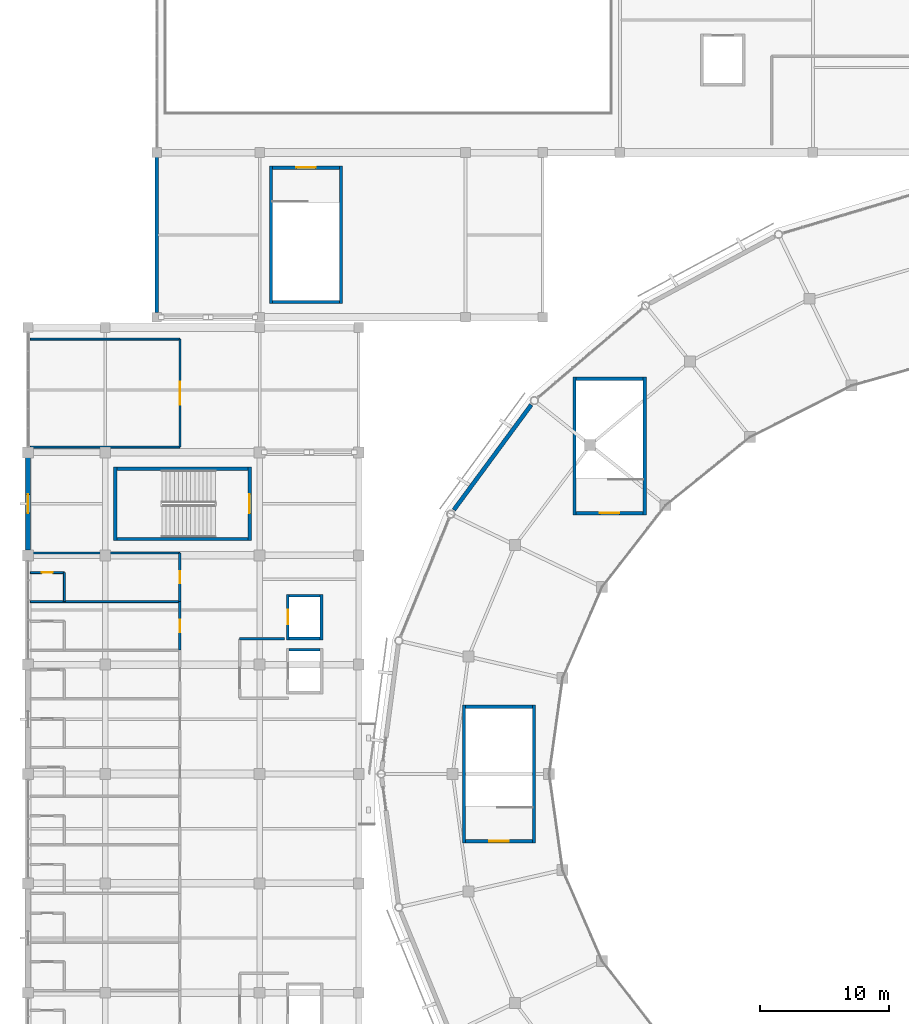
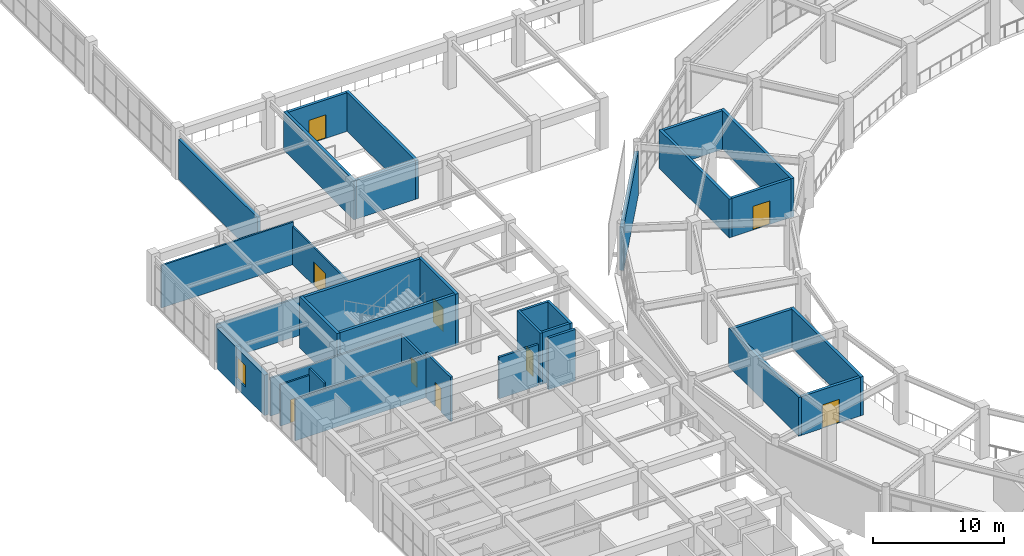
# One storey, part 84 of 112: 34 walls, 9 doors, 1 window, 10 openings.
"""IFC4 building model written with IfcOpenShell, lengths in metres."""

from ifc_helpers import new_model, si_unit, direction, frame, frame_2d, origin, place, context, subcontext, project, spatial, rectangle, extrude, material, layer, layer_set, type_object, element, fill, save


model = new_model("IFC4")

# Units and contexts
model_context = context("Model", 3, precision=1e-05, world=origin(), true_north=direction((0.0, 1.0)))
body_context = subcontext(model_context, "Body", "Model", "MODEL_VIEW")
ifc_project = project(units=[si_unit("LENGTHUNIT", "METRE"), si_unit("AREAUNIT", "SQUARE_METRE"), si_unit("VOLUMEUNIT", "CUBIC_METRE"), si_unit("PLANEANGLEUNIT", "RADIAN"), si_unit("MASSUNIT", "GRAM", prefix="KILO")], contexts=[model_context])

# Site, building, storey
site_placement = place(None, origin())
site = spatial("IfcSite", under=ifc_project, at=site_placement, CompositionType="ELEMENT")
building_placement = place(site_placement, origin())
building = spatial("IfcBuilding", under=site, at=building_placement, Name="Cuetzalor Civic Arena", CompositionType="ELEMENT")
storey_placement = place(building_placement, frame((0.0, 0.0, 11.39990234375)))
storey = spatial("IfcBuildingStorey", under=building, at=storey_placement, Name="L02", CompositionType="ELEMENT", Elevation=11.39990234375)

# Wall
ifc_material_1 = material(Name="Acoustic steel-stud gypsum partition", Category="steel")
ifc_layer_1 = layer(ifc_material_1, 0.14990234375)
ifc_layer_set_1 = layer_set([ifc_layer_1], Name="Acoustic steel-stud gypsum partition")
wall_type_1 = type_object("IfcWallType", Name="AcousticGypsumPartition_150", PredefinedType="PARTITIONING", material=ifc_layer_set_1)
wall_1_placement = place(storey_placement, frame((-81.820068359375, 13.39990234375, 0.0), z_axis=(0.0, 0.0, 1.0), x_axis=(1.0, 0.0, 0.0)))
element("IfcWall", 1, at=wall_1_placement, inside=storey, type_object=wall_type_1, Name="Interior Partition IWALL:L02:0308", PredefinedType="PARTITIONING", context=body_context, shape_type="SweptSolid", body=[
    extrude(rectangle(XDim=11.6201171875, YDim=0.14990234375, at=frame_2d((5.81005859375, 0.0))), origin(), (0.0, 0.0, 1.0), 3.84521484375),
])

# Wall, opening, door
wall_2_placement = place(storey_placement, frame((-81.820068359375, 15.64990234375, 0.0), z_axis=(0.0, 0.0, 1.0), x_axis=(1.0, 0.0, 0.0)))
wall_2 = element("IfcWall", 2, at=wall_2_placement, inside=storey, type_object=wall_type_1, Name="Interior Partition IWALL:L02:0309", PredefinedType="PARTITIONING", context=body_context, shape_type="SweptSolid", body=[
    extrude(rectangle(XDim=2.650146484375, YDim=0.14990234375, at=frame_2d((1.3251953125, 0.0))), origin(), (0.0, 0.0, 1.0), 3.84521484375),
])
opening_1_placement = place(wall_2_placement, frame((0.89990234375, 0.0, 0.0)))
opening_1 = element("IfcOpeningElement", 3, at=opening_1_placement, cuts=wall_2, Name="Opening ID-01", PredefinedType="OPENING", context=body_context, shape_type="SweptSolid", body=[
    extrude(rectangle(XDim=0.85009765625, YDim=2.14990234375, at=frame_2d((0.425048828125, 1.074951171875))), frame((0.0, 0.0849609375, 0.0), z_axis=(0.0, -1.0, 0.0), x_axis=(1.0, 0.0, 0.0)), (0.0, 0.0, 1.0), 0.169921875),
])
ifc_material_2 = material(Name="Painted steel frame and solid timber leaf", Category="steel")
door_type_1 = type_object("IfcDoorType", Name="InteriorSingleDoor_850x2150", OperationType="NOTDEFINED", PredefinedType="DOOR", material=ifc_material_2)
door_1_placement = place(opening_1_placement, origin())
door_1 = element("IfcDoor", 4, at=door_1_placement, inside=storey, type_object=door_type_1, Name="Door to Suite Bathroom 211", OperationType="SINGLE_SWING_RIGHT", OverallHeight=2.14990234375, OverallWidth=0.85009765625, PredefinedType="DOOR", context=body_context, shape_type="SweptSolid", body=[
    extrude(rectangle(XDim=0.85009765625, YDim=2.14990234375, at=frame_2d((0.425048828125, 1.074951171875))), frame((0.0, 0.02490234375, 0.0), z_axis=(0.0, -1.0, 0.0), x_axis=(1.0, 0.0, 0.0)), (0.0, 0.0, 1.0), 0.050048828125),
])
fill(opening_1, door_1)

# Walls
wall_3_placement = place(storey_placement, frame((-79.169921875, 15.64990234375, 0.0), z_axis=(0.0, 0.0, 1.0), x_axis=(0.0, -1.0, 0.0)))
element("IfcWall", 5, at=wall_3_placement, inside=storey, type_object=wall_type_1, Name="Interior Partition IWALL:L02:0310", PredefinedType="PARTITIONING", context=body_context, shape_type="SweptSolid", body=[
    extrude(rectangle(XDim=2.25, YDim=0.14990234375, at=frame_2d((1.125, 0.0))), origin(), (0.0, 0.0, 1.0), 4.440185546875),
])
wall_4_placement = place(storey_placement, frame((-81.820068359375, 17.179931640625, 0.0), z_axis=(0.0, 0.0, 1.0), x_axis=(1.0, 0.0, 0.0)))
element("IfcWall", 6, at=wall_4_placement, inside=storey, type_object=wall_type_1, Name="Interior Partition IWALL:L02:0312", PredefinedType="PARTITIONING", context=body_context, shape_type="SweptSolid", body=[
    extrude(rectangle(XDim=11.6201171875, YDim=0.14990234375, at=frame_2d((5.81005859375, 0.0))), origin(), (0.0, 0.0, 1.0), 3.545166015625),
])
wall_5_placement = place(storey_placement, frame((-81.820068359375, 33.800048828125, 0.0), z_axis=(0.0, 0.0, 1.0), x_axis=(1.0, 0.0, 0.0)))
element("IfcWall", 7, at=wall_5_placement, inside=storey, type_object=wall_type_1, Name="Interior Partition IWALL:L02:0313", PredefinedType="PARTITIONING", context=body_context, shape_type="SweptSolid", body=[
    extrude(rectangle(XDim=11.6201171875, YDim=0.14990234375, at=frame_2d((5.81005859375, 0.0))), origin(), (0.0, 0.0, 1.0), 3.962158203125),
])
wall_6_placement = place(storey_placement, frame((-70.199951171875, 25.39990234375, 0.0), z_axis=(0.0, 0.0, 1.0), x_axis=(-1.0, 0.0, 0.0)))
element("IfcWall", 8, at=wall_6_placement, inside=storey, type_object=wall_type_1, Name="Interior Partition IWALL:L02:0314", PredefinedType="PARTITIONING", context=body_context, shape_type="SweptSolid", body=[
    extrude(rectangle(XDim=11.6201171875, YDim=0.14990234375, at=frame_2d((5.81005859375, 0.0))), origin(), (0.0, 0.0, 1.0), 3.545166015625),
])

# Wall, opening, door
wall_7_placement = place(storey_placement, frame((-70.199951171875, 33.800048828125, 0.0), z_axis=(0.0, 0.0, 1.0), x_axis=(0.0, -1.0, 0.0)))
wall_7 = element("IfcWall", 9, at=wall_7_placement, inside=storey, type_object=wall_type_1, Name="Interior Partition IWALL:L02:0315", PredefinedType="PARTITIONING", context=body_context, shape_type="SweptSolid", body=[
    extrude(rectangle(XDim=8.400146484375, YDim=0.14990234375, at=frame_2d((4.2001953125, 0.0))), origin(), (0.0, 0.0, 1.0), 3.545166015625),
])
opening_2_placement = place(wall_7_placement, frame((3.300048828125, 0.0, 0.0)))
opening_2 = element("IfcOpeningElement", 10, at=opening_2_placement, cuts=wall_7, Name="Opening ID-06", PredefinedType="OPENING", context=body_context, shape_type="SweptSolid", body=[
    extrude(rectangle(XDim=1.800048828125, YDim=2.199951171875, at=frame_2d((0.89990234375, 1.10009765625))), frame((0.0, 0.0849609375, 0.0), z_axis=(0.0, -1.0, 0.0), x_axis=(1.0, 0.0, 0.0)), (0.0, 0.0, 1.0), 0.169921875),
])
ifc_material_3 = material(Name="Glazed bronze acoustic double door", Category="metal")
door_type_2 = type_object("IfcDoorType", Name="PublicDoubleDoor_1800x2200", OperationType="DOUBLE_DOOR_SINGLE_SWING", PredefinedType="DOOR", material=ifc_material_3)
door_2_placement = place(opening_2_placement, origin())
door_2 = element("IfcDoor", 11, at=door_2_placement, inside=storey, type_object=door_type_2, Name="Door to Hospitality Club Lounge West L02", OperationType="DOUBLE_DOOR_SINGLE_SWING", OverallHeight=2.199951171875, OverallWidth=1.800048828125, PredefinedType="DOOR", context=body_context, shape_type="SweptSolid", body=[
    extrude(rectangle(XDim=1.800048828125, YDim=2.199951171875, at=frame_2d((0.89990234375, 1.10009765625))), frame((0.0, 0.02490234375, 0.0), z_axis=(0.0, -1.0, 0.0), x_axis=(1.0, 0.0, 0.0)), (0.0, 0.0, 1.0), 0.050048828125),
])
fill(opening_2, door_2)

# Walls
ifc_material_4 = material(Name="Standing-seam charcoal zinc insulated wall", Category="steel")
ifc_layer_2 = layer(ifc_material_4, 0.280029296875)
ifc_layer_set_2 = layer_set([ifc_layer_2], Name="Standing-seam charcoal zinc insulated wall")
wall_type_2 = type_object("IfcWallType", Name="AcousticZincCladWall_280", PredefinedType="SOLIDWALL", material=ifc_layer_set_2)
wall_8_placement = place(storey_placement, frame((-72.0, 35.85693359375, 0.0), z_axis=(0.0, 0.0, 1.0), x_axis=(0.0, 1.0, 0.0)))
element("IfcWall", 12, at=wall_8_placement, inside=storey, type_object=wall_type_2, Name="North Wing West Basalt Wall L02-245", PredefinedType="SOLIDWALL", context=body_context, shape_type="SweptSolid", body=[
    extrude(rectangle(XDim=12.086181640625, YDim=0.280029296875, at=frame_2d((6.04296875, 0.0))), origin(), (0.0, 0.0, 1.0), 3.72021484375),
])
ifc_material_5 = material(Name="Concrete C40/50", Category="concrete")
ifc_layer_3 = layer(ifc_material_5, 0.25)
ifc_layer_set_3 = layer_set([ifc_layer_3], Name="Concrete C40/50")
wall_type_3 = type_object("IfcWallType", Name="ConcreteCoreShearWall_250", PredefinedType="SHEAR", material=ifc_layer_set_3)
wall_9_placement = place(storey_placement, frame((-39.52490234375, 20.14990234375, 0.0), z_axis=(0.0, 0.0, 1.0), x_axis=(0.0, 1.0, 0.0)))
element("IfcWall", 13, at=wall_9_placement, inside=storey, type_object=wall_type_3, Name="Stair Core Shear Wall ST-04-L02-W", PredefinedType="SHEAR", context=body_context, shape_type="SweptSolid", body=[
    extrude(rectangle(XDim=10.7001953125, YDim=0.25, at=frame_2d((5.35009765625, 0.0))), origin(), (0.0, 0.0, 1.0), 3.60009765625),
])
wall_10_placement = place(storey_placement, frame((-39.39990234375, 30.72509765625, 0.0), z_axis=(0.0, 0.0, 1.0), x_axis=(1.0, 0.0, 0.0)))
element("IfcWall", 14, at=wall_10_placement, inside=storey, type_object=wall_type_3, Name="Stair Core Shear Wall ST-04-L02-N", PredefinedType="SHEAR", context=body_context, shape_type="SweptSolid", body=[
    extrude(rectangle(XDim=5.199951171875, YDim=0.25, at=frame_2d((2.60009765625, 0.0))), origin(), (0.0, 0.0, 1.0), 3.60009765625),
])
wall_11_placement = place(storey_placement, frame((-34.074951171875, 30.85009765625, 0.0), z_axis=(0.0, 0.0, 1.0), x_axis=(0.0, -1.0, 0.0)))
element("IfcWall", 15, at=wall_11_placement, inside=storey, type_object=wall_type_3, Name="Stair Core Shear Wall ST-04-L02-E", PredefinedType="SHEAR", context=body_context, shape_type="SweptSolid", body=[
    extrude(rectangle(XDim=10.7001953125, YDim=0.25, at=frame_2d((5.35009765625, 0.0))), origin(), (0.0, 0.0, 1.0), 3.60009765625),
])

# Wall, opening, door
wall_12_placement = place(storey_placement, frame((-34.199951171875, 20.27490234375, 0.0), z_axis=(0.0, 0.0, 1.0), x_axis=(-1.0, 0.0, 0.0)))
wall_12 = element("IfcWall", 16, at=wall_12_placement, inside=storey, type_object=wall_type_3, Name="Stair Core Shear Wall ST-04-L02-S", PredefinedType="SHEAR", context=body_context, shape_type="SweptSolid", body=[
    extrude(rectangle(XDim=5.199951171875, YDim=0.25, at=frame_2d((2.60009765625, 0.0))), origin(), (0.0, 0.0, 1.0), 3.60009765625),
])
opening_3_placement = place(wall_12_placement, frame((1.85009765625, 0.0, 0.0)))
opening_3 = element("IfcOpeningElement", 17, at=opening_3_placement, cuts=wall_12, Name="Opening FD-03", PredefinedType="OPENING", context=body_context, shape_type="SweptSolid", body=[
    extrude(rectangle(XDim=1.5, YDim=2.199951171875, at=frame_2d((0.75, 1.10009765625))), frame((0.0, 0.135009765625, 0.0), z_axis=(0.0, -1.0, 0.0), x_axis=(1.0, 0.0, 0.0)), (0.0, 0.0, 1.0), 0.27001953125),
])
ifc_material_6 = material(Name="Fire-rated steel stair exit double door", Category="steel")
door_type_3 = type_object("IfcDoorType", Name="StairFireDoubleDoor_1500x2200", OperationType="DOUBLE_DOOR_SINGLE_SWING", PredefinedType="DOOR", material=ifc_material_6)
door_3_placement = place(opening_3_placement, origin())
door_3 = element("IfcDoor", 18, at=door_3_placement, inside=storey, type_object=door_type_3, Name="Fire Stair Door ST-04 L02", OperationType="DOUBLE_DOOR_SINGLE_SWING", OverallHeight=2.199951171875, OverallWidth=1.5, PredefinedType="DOOR", context=body_context, shape_type="SweptSolid", body=[
    extrude(rectangle(XDim=1.5, YDim=2.199951171875, at=frame_2d((0.75, 1.10009765625))), frame((0.0, 0.02490234375, 0.0), z_axis=(0.0, -1.0, 0.0), x_axis=(1.0, 0.0, 0.0)), (0.0, 0.0, 1.0), 0.050048828125),
])
fill(opening_3, door_3)

# Walls
wall_13_placement = place(storey_placement, frame((-48.125, -5.35009765625, 0.0), z_axis=(0.0, 0.0, 1.0), x_axis=(0.0, 1.0, 0.0)))
element("IfcWall", 19, at=wall_13_placement, inside=storey, type_object=wall_type_3, Name="Stair Core Shear Wall ST-05-L02-W", PredefinedType="SHEAR", context=body_context, shape_type="SweptSolid", body=[
    extrude(rectangle(XDim=10.7001953125, YDim=0.25, at=frame_2d((5.35009765625, 0.0))), origin(), (0.0, 0.0, 1.0), 3.60009765625),
])
wall_14_placement = place(storey_placement, frame((-48.0, 5.22509765625, 0.0), z_axis=(0.0, 0.0, 1.0), x_axis=(1.0, 0.0, 0.0)))
element("IfcWall", 20, at=wall_14_placement, inside=storey, type_object=wall_type_3, Name="Stair Core Shear Wall ST-05-L02-N", PredefinedType="SHEAR", context=body_context, shape_type="SweptSolid", body=[
    extrude(rectangle(XDim=5.199951171875, YDim=0.25, at=frame_2d((2.60009765625, 0.0))), origin(), (0.0, 0.0, 1.0), 3.60009765625),
])
wall_15_placement = place(storey_placement, frame((-42.675048828125, 5.35009765625, 0.0), z_axis=(0.0, 0.0, 1.0), x_axis=(0.0, -1.0, 0.0)))
element("IfcWall", 21, at=wall_15_placement, inside=storey, type_object=wall_type_3, Name="Stair Core Shear Wall ST-05-L02-E", PredefinedType="SHEAR", context=body_context, shape_type="SweptSolid", body=[
    extrude(rectangle(XDim=10.7001953125, YDim=0.25, at=frame_2d((5.35009765625, 0.0))), origin(), (0.0, 0.0, 1.0), 3.60009765625),
])

# Wall, opening, door
wall_16_placement = place(storey_placement, frame((-42.800048828125, -5.22509765625, 0.0), z_axis=(0.0, 0.0, 1.0), x_axis=(-1.0, 0.0, 0.0)))
wall_16 = element("IfcWall", 22, at=wall_16_placement, inside=storey, type_object=wall_type_3, Name="Stair Core Shear Wall ST-05-L02-S", PredefinedType="SHEAR", context=body_context, shape_type="SweptSolid", body=[
    extrude(rectangle(XDim=5.199951171875, YDim=0.25, at=frame_2d((2.60009765625, 0.0))), origin(), (0.0, 0.0, 1.0), 3.60009765625),
])
opening_4_placement = place(wall_16_placement, frame((1.85009765625, 0.0, 0.0)))
opening_4 = element("IfcOpeningElement", 23, at=opening_4_placement, cuts=wall_16, Name="Opening FD-03", PredefinedType="OPENING", context=body_context, shape_type="SweptSolid", body=[
    extrude(rectangle(XDim=1.5, YDim=2.199951171875, at=frame_2d((0.75, 1.10009765625))), frame((0.0, 0.135009765625, 0.0), z_axis=(0.0, -1.0, 0.0), x_axis=(1.0, 0.0, 0.0)), (0.0, 0.0, 1.0), 0.27001953125),
])
door_4_placement = place(opening_4_placement, origin())
door_4 = element("IfcDoor", 24, at=door_4_placement, inside=storey, type_object=door_type_3, Name="Fire Stair Door ST-05 L02", OperationType="DOUBLE_DOOR_SINGLE_SWING", OverallHeight=2.199951171875, OverallWidth=1.5, PredefinedType="DOOR", context=body_context, shape_type="SweptSolid", body=[
    extrude(rectangle(XDim=1.5, YDim=2.199951171875, at=frame_2d((0.75, 1.10009765625))), frame((0.0, 0.02490234375, 0.0), z_axis=(0.0, -1.0, 0.0), x_axis=(1.0, 0.0, 0.0)), (0.0, 0.0, 1.0), 0.050048828125),
])
fill(opening_4, door_4)

# Walls
wall_17_placement = place(storey_placement, frame((-75.22509765625, 18.14990234375, 0.0), z_axis=(0.0, 0.0, 1.0), x_axis=(0.0, 1.0, 0.0)))
element("IfcWall", 25, at=wall_17_placement, inside=storey, type_object=wall_type_3, Name="Stair Core Shear Wall ST-17-L02-W", PredefinedType="SHEAR", context=body_context, shape_type="SweptSolid", body=[
    extrude(rectangle(XDim=5.7001953125, YDim=0.25, at=frame_2d((2.85009765625, 0.0))), origin(), (0.0, 0.0, 1.0), 4.800048828125),
])
wall_18_placement = place(storey_placement, frame((-75.10009765625, 23.72509765625, 0.0), z_axis=(0.0, 0.0, 1.0), x_axis=(1.0, 0.0, 0.0)))
element("IfcWall", 26, at=wall_18_placement, inside=storey, type_object=wall_type_3, Name="Stair Core Shear Wall ST-17-L02-N", PredefinedType="SHEAR", context=body_context, shape_type="SweptSolid", body=[
    extrude(rectangle(XDim=10.2001953125, YDim=0.25, at=frame_2d((5.10009765625, 0.0))), origin(), (0.0, 0.0, 1.0), 4.800048828125),
])

# Wall, opening, door
wall_19_placement = place(storey_placement, frame((-64.77490234375, 23.85009765625, 0.0), z_axis=(0.0, 0.0, 1.0), x_axis=(0.0, -1.0, 0.0)))
wall_19 = element("IfcWall", 27, at=wall_19_placement, inside=storey, type_object=wall_type_3, Name="Stair Core Shear Wall ST-17-L02-E", PredefinedType="SHEAR", context=body_context, shape_type="SweptSolid", body=[
    extrude(rectangle(XDim=5.7001953125, YDim=0.25, at=frame_2d((2.85009765625, 0.0))), origin(), (0.0, 0.0, 1.0), 4.800048828125),
])
opening_5_placement = place(wall_19_placement, frame((2.10009765625, 0.0, 0.0)))
opening_5 = element("IfcOpeningElement", 28, at=opening_5_placement, cuts=wall_19, Name="Opening FD-03", PredefinedType="OPENING", context=body_context, shape_type="SweptSolid", body=[
    extrude(rectangle(XDim=1.5, YDim=2.199951171875, at=frame_2d((0.75, 1.10009765625))), frame((0.0, 0.135009765625, 0.0), z_axis=(0.0, -1.0, 0.0), x_axis=(1.0, 0.0, 0.0)), (0.0, 0.0, 1.0), 0.27001953125),
])
door_5_placement = place(opening_5_placement, origin())
door_5 = element("IfcDoor", 29, at=door_5_placement, inside=storey, type_object=door_type_3, Name="Fire Stair Door ST-17 L02", OperationType="DOUBLE_DOOR_SINGLE_SWING", OverallHeight=2.199951171875, OverallWidth=1.5, PredefinedType="DOOR", context=body_context, shape_type="SweptSolid", body=[
    extrude(rectangle(XDim=1.5, YDim=2.199951171875, at=frame_2d((0.75, 1.10009765625))), frame((0.0, 0.02490234375, 0.0), z_axis=(0.0, -1.0, 0.0), x_axis=(1.0, 0.0, 0.0)), (0.0, 0.0, 1.0), 0.050048828125),
])
fill(opening_5, door_5)

# Walls
wall_20_placement = place(storey_placement, frame((-64.89990234375, 18.27490234375, 0.0), z_axis=(0.0, 0.0, 1.0), x_axis=(-1.0, 0.0, 0.0)))
element("IfcWall", 30, at=wall_20_placement, inside=storey, type_object=wall_type_3, Name="Stair Core Shear Wall ST-17-L02-S", PredefinedType="SHEAR", context=body_context, shape_type="SweptSolid", body=[
    extrude(rectangle(XDim=10.2001953125, YDim=0.25, at=frame_2d((5.10009765625, 0.0))), origin(), (0.0, 0.0, 1.0), 4.800048828125),
])
wall_21_placement = place(storey_placement, frame((-63.125, 36.550048828125, 0.0), z_axis=(0.0, 0.0, 1.0), x_axis=(0.0, 1.0, 0.0)))
element("IfcWall", 31, at=wall_21_placement, inside=storey, type_object=wall_type_3, Name="Stair Core Shear Wall ST-23-L02-W", PredefinedType="SHEAR", context=body_context, shape_type="SweptSolid", body=[
    extrude(rectangle(XDim=10.699951171875, YDim=0.25, at=frame_2d((5.35009765625, 0.0))), origin(), (0.0, 0.0, 1.0), 3.60009765625),
])

# Wall, opening, door
wall_22_placement = place(storey_placement, frame((-63.0, 47.125, 0.0), z_axis=(0.0, 0.0, 1.0), x_axis=(1.0, 0.0, 0.0)))
wall_22 = element("IfcWall", 32, at=wall_22_placement, inside=storey, type_object=wall_type_3, Name="Stair Core Shear Wall ST-23-L02-N", PredefinedType="SHEAR", context=body_context, shape_type="SweptSolid", body=[
    extrude(rectangle(XDim=5.199951171875, YDim=0.25, at=frame_2d((2.60009765625, 0.0))), origin(), (0.0, 0.0, 1.0), 3.60009765625),
])
opening_6_placement = place(wall_22_placement, frame((1.85009765625, 0.0, 0.0)))
opening_6 = element("IfcOpeningElement", 33, at=opening_6_placement, cuts=wall_22, Name="Opening FD-03", PredefinedType="OPENING", context=body_context, shape_type="SweptSolid", body=[
    extrude(rectangle(XDim=1.5, YDim=2.199951171875, at=frame_2d((0.75, 1.10009765625))), frame((0.0, 0.135009765625, 0.0), z_axis=(0.0, -1.0, 0.0), x_axis=(1.0, 0.0, 0.0)), (0.0, 0.0, 1.0), 0.27001953125),
])
door_6_placement = place(opening_6_placement, origin())
door_6 = element("IfcDoor", 34, at=door_6_placement, inside=storey, type_object=door_type_3, Name="Fire Stair Door ST-23 L02", OperationType="DOUBLE_DOOR_SINGLE_SWING", OverallHeight=2.199951171875, OverallWidth=1.5, PredefinedType="DOOR", context=body_context, shape_type="SweptSolid", body=[
    extrude(rectangle(XDim=1.5, YDim=2.199951171875, at=frame_2d((0.75, 1.10009765625))), frame((0.0, 0.02490234375, 0.0), z_axis=(0.0, -1.0, 0.0), x_axis=(1.0, 0.0, 0.0)), (0.0, 0.0, 1.0), 0.050048828125),
])
fill(opening_6, door_6)

# Walls
wall_23_placement = place(storey_placement, frame((-57.675048828125, 47.25, 0.0), z_axis=(0.0, 0.0, 1.0), x_axis=(0.0, -1.0, 0.0)))
element("IfcWall", 35, at=wall_23_placement, inside=storey, type_object=wall_type_3, Name="Stair Core Shear Wall ST-23-L02-E", PredefinedType="SHEAR", context=body_context, shape_type="SweptSolid", body=[
    extrude(rectangle(XDim=10.699951171875, YDim=0.25, at=frame_2d((5.35009765625, 0.0))), origin(), (0.0, 0.0, 1.0), 3.60009765625),
])
wall_24_placement = place(storey_placement, frame((-57.800048828125, 36.675048828125, 0.0), z_axis=(0.0, 0.0, 1.0), x_axis=(-1.0, 0.0, 0.0)))
element("IfcWall", 36, at=wall_24_placement, inside=storey, type_object=wall_type_3, Name="Stair Core Shear Wall ST-23-L02-S", PredefinedType="SHEAR", context=body_context, shape_type="SweptSolid", body=[
    extrude(rectangle(XDim=5.199951171875, YDim=0.25, at=frame_2d((2.60009765625, 0.0))), origin(), (0.0, 0.0, 1.0), 3.60009765625),
])
ifc_material_7 = material(Name="Fire-rated masonry and gypsum partition", Category="masonry")
ifc_layer_4 = layer(ifc_material_7, 0.199951171875)
ifc_layer_set_4 = layer_set([ifc_layer_4], Name="Fire-rated masonry and gypsum partition")
wall_type_4 = type_object("IfcWallType", Name="FireCompartmentWall_200", PredefinedType="PARTITIONING", material=ifc_layer_set_4)
wall_25_placement = place(storey_placement, frame((-65.550048828125, 10.5, 0.0), z_axis=(0.0, 0.0, 1.0), x_axis=(1.0, 0.0, 0.0)))
element("IfcWall", 37, at=wall_25_placement, inside=storey, type_object=wall_type_4, Name="Interior Partition IWALL:L02:0026", PredefinedType="PARTITIONING", context=body_context, shape_type="SweptSolid", body=[
    extrude(rectangle(XDim=3.47998046875, YDim=0.199951171875, at=frame_2d((1.739990234375, 0.0))), origin(), (0.0, 0.0, 1.0), 3.84521484375),
])

# Wall, opening, door
wall_26_placement = place(storey_placement, frame((-70.199951171875, 13.39990234375, 0.0), z_axis=(0.0, 0.0, 1.0), x_axis=(0.0, -1.0, 0.0)))
wall_26 = element("IfcWall", 38, at=wall_26_placement, inside=storey, type_object=wall_type_4, Name="Interior Partition IWALL:L02:0307", PredefinedType="PARTITIONING", context=body_context, shape_type="SweptSolid", body=[
    extrude(rectangle(XDim=3.77978515625, YDim=0.199951171875, at=frame_2d((1.889892578125, 0.0))), origin(), (0.0, 0.0, 1.0), 4.14013671875),
])
opening_7_placement = place(wall_26_placement, frame((1.4150390625, 0.0, 0.0)))
opening_7 = element("IfcOpeningElement", 39, at=opening_7_placement, cuts=wall_26, Name="Opening ID-05", PredefinedType="OPENING", context=body_context, shape_type="SweptSolid", body=[
    extrude(rectangle(XDim=0.949951171875, YDim=2.25, at=frame_2d((0.47509765625, 1.125))), frame((0.0, 0.10986328125, 0.0), z_axis=(0.0, -1.0, 0.0), x_axis=(1.0, 0.0, 0.0)), (0.0, 0.0, 1.0), 0.219970703125),
])
ifc_material_8 = material(Name="Bronze-clad fire-rated acoustic timber door", Category="wood")
door_type_4 = type_object("IfcDoorType", Name="SuiteEntryDoor_950x2150", OperationType="NOTDEFINED", PredefinedType="DOOR", material=ifc_material_8)
door_7_placement = place(opening_7_placement, origin())
door_7 = element("IfcDoor", 40, at=door_7_placement, inside=storey, type_object=door_type_4, Name="Door to Private Viewing Suite 210", OperationType="SINGLE_SWING_LEFT", OverallHeight=2.25, OverallWidth=0.949951171875, PredefinedType="DOOR", context=body_context, shape_type="SweptSolid", body=[
    extrude(rectangle(XDim=0.949951171875, YDim=2.25, at=frame_2d((0.47509765625, 1.125))), frame((0.0, 0.02490234375, 0.0), z_axis=(0.0, -1.0, 0.0), x_axis=(1.0, 0.0, 0.0)), (0.0, 0.0, 1.0), 0.050048828125),
])
fill(opening_7, door_7)

wall_27_placement = place(storey_placement, frame((-70.199951171875, 17.179931640625, 0.0), z_axis=(0.0, 0.0, 1.0), x_axis=(0.0, -1.0, 0.0)))
wall_27 = element("IfcWall", 41, at=wall_27_placement, inside=storey, type_object=wall_type_4, Name="Interior Partition IWALL:L02:0311", PredefinedType="PARTITIONING", context=body_context, shape_type="SweptSolid", body=[
    extrude(rectangle(XDim=3.780029296875, YDim=0.199951171875, at=frame_2d((1.89013671875, 0.0))), origin(), (0.0, 0.0, 1.0), 3.545166015625),
])
opening_8_placement = place(wall_27_placement, frame((1.4150390625, 0.0, 0.0)))
opening_8 = element("IfcOpeningElement", 42, at=opening_8_placement, cuts=wall_27, Name="Opening ID-05", PredefinedType="OPENING", context=body_context, shape_type="SweptSolid", body=[
    extrude(rectangle(XDim=0.949951171875, YDim=2.25, at=frame_2d((0.47509765625, 1.125))), frame((0.0, 0.10986328125, 0.0), z_axis=(0.0, -1.0, 0.0), x_axis=(1.0, 0.0, 0.0)), (0.0, 0.0, 1.0), 0.219970703125),
])
door_8_placement = place(opening_8_placement, origin())
door_8 = element("IfcDoor", 43, at=door_8_placement, inside=storey, type_object=door_type_4, Name="Door to Private Viewing Suite 211", OperationType="SINGLE_SWING_LEFT", OverallHeight=2.25, OverallWidth=0.949951171875, PredefinedType="DOOR", context=body_context, shape_type="SweptSolid", body=[
    extrude(rectangle(XDim=0.949951171875, YDim=2.25, at=frame_2d((0.47509765625, 1.125))), frame((0.0, 0.02490234375, 0.0), z_axis=(0.0, -1.0, 0.0), x_axis=(1.0, 0.0, 0.0)), (0.0, 0.0, 1.0), 0.050048828125),
])
fill(opening_8, door_8)

# Walls
ifc_material_9 = material(Name="Precast concrete C40/50 insulated cladding", Category="concrete")
ifc_layer_5 = layer(ifc_material_9, 0.320068359375)
ifc_layer_set_5 = layer_set([ifc_layer_5], Name="Precast concrete C40/50 insulated cladding")
wall_type_5 = type_object("IfcWallType", Name="InsulatedPrecastWall_320", PredefinedType="SOLIDWALL", material=ifc_layer_set_5)
wall_28_placement = place(storey_placement, frame((-48.90576171875, 20.526123046875, 0.0), z_axis=(0.0, 0.0, 1.0), x_axis=(0.592929724135, 0.805254209698, 0.0)))
element("IfcWall", 44, at=wall_28_placement, inside=storey, type_object=wall_type_5, Name="Drum Acoustic Backing Wall L02-031", PredefinedType="SOLIDWALL", context=body_context, shape_type="SweptSolid", body=[
    extrude(rectangle(XDim=10.14404296875, YDim=0.320068359375, at=frame_2d((5.072021484375, 0.0))), origin(), (0.0, 0.0, 1.0), 4.052978515625),
])
ifc_material_10 = material(Name="Concrete C40/50", Category="concrete")
ifc_layer_6 = layer(ifc_material_10, 0.219970703125)
ifc_layer_set_6 = layer_set([ifc_layer_6], Name="Concrete C40/50")
wall_type_6 = type_object("IfcWallType", Name="LiftShaftShearWall_220", PredefinedType="SHEAR", material=ifc_layer_set_6)
wall_29_placement = place(storey_placement, frame((-61.699951171875, 9.659912109375, 0.0), z_axis=(0.0, 0.0, 1.0), x_axis=(1.0, 0.0, 0.0)))
element("IfcWall", 45, at=wall_29_placement, inside=storey, type_object=wall_type_6, Name="Lift Shaft Wall LF-02-L02-N", PredefinedType="SHEAR", context=body_context, shape_type="SweptSolid", body=[
    extrude(rectangle(XDim=2.39990234375, YDim=0.219970703125, at=frame_2d((1.199951171875, 0.0))), origin(), (0.0, 0.0, 1.0), 4.800048828125),
])

# Wall, opening, door
wall_30_placement = place(storey_placement, frame((-61.81005859375, 10.429931640625, 0.0), z_axis=(0.0, 0.0, 1.0), x_axis=(0.0, 1.0, 0.0)))
wall_30 = element("IfcWall", 46, at=wall_30_placement, inside=storey, type_object=wall_type_6, Name="Lift Shaft Wall LP-04-L02-W", PredefinedType="SHEAR", context=body_context, shape_type="SweptSolid", body=[
    extrude(rectangle(XDim=3.5400390625, YDim=0.219970703125, at=frame_2d((1.77001953125, 0.0))), origin(), (0.0, 0.0, 1.0), 4.800048828125),
])
opening_9_placement = place(wall_30_placement, frame((1.219970703125, 0.0, 0.0)))
opening_9 = element("IfcOpeningElement", 47, at=opening_9_placement, cuts=wall_30, Name="Opening LD-01", PredefinedType="OPENING", context=body_context, shape_type="SweptSolid", body=[
    extrude(rectangle(XDim=1.10009765625, YDim=2.199951171875, at=frame_2d((0.550048828125, 1.10009765625))), frame((0.0, 0.1201171875, 0.0), z_axis=(0.0, -1.0, 0.0), x_axis=(1.0, 0.0, 0.0)), (0.0, 0.0, 1.0), 0.239990234375),
])
ifc_material_11 = material(Name="Brushed stainless steel sliding lift landing door", Category="steel")
door_type_5 = type_object("IfcDoorType", Name="LiftLandingSlidingDoor_1100x2200", OperationType="SLIDING_TO_LEFT", PredefinedType="DOOR", material=ifc_material_11)
door_9_placement = place(opening_9_placement, origin())
door_9 = element("IfcDoor", 48, at=door_9_placement, inside=storey, type_object=door_type_5, Name="Lift Landing Sliding Door LP-04 L02", OperationType="SLIDING_TO_LEFT", OverallHeight=2.199951171875, OverallWidth=1.10009765625, PredefinedType="DOOR", context=body_context, shape_type="SweptSolid", body=[
    extrude(rectangle(XDim=1.10009765625, YDim=2.199951171875, at=frame_2d((0.550048828125, 1.10009765625))), frame((0.0, 0.02490234375, 0.0), z_axis=(0.0, -1.0, 0.0), x_axis=(1.0, 0.0, 0.0)), (0.0, 0.0, 1.0), 0.050048828125),
])
fill(opening_9, door_9)

# Walls
wall_31_placement = place(storey_placement, frame((-61.699951171875, 13.860107421875, 0.0), z_axis=(0.0, 0.0, 1.0), x_axis=(1.0, 0.0, 0.0)))
element("IfcWall", 49, at=wall_31_placement, inside=storey, type_object=wall_type_6, Name="Lift Shaft Wall LP-04-L02-N", PredefinedType="SHEAR", context=body_context, shape_type="SweptSolid", body=[
    extrude(rectangle(XDim=2.39990234375, YDim=0.219970703125, at=frame_2d((1.199951171875, 0.0))), origin(), (0.0, 0.0, 1.0), 4.800048828125),
])
wall_32_placement = place(storey_placement, frame((-59.18994140625, 13.969970703125, 0.0), z_axis=(0.0, 0.0, 1.0), x_axis=(0.0, -1.0, 0.0)))
element("IfcWall", 50, at=wall_32_placement, inside=storey, type_object=wall_type_6, Name="Lift Shaft Wall LP-04-L02-E", PredefinedType="SHEAR", context=body_context, shape_type="SweptSolid", body=[
    extrude(rectangle(XDim=3.5400390625, YDim=0.219970703125, at=frame_2d((1.77001953125, 0.0))), origin(), (0.0, 0.0, 1.0), 4.800048828125),
])
wall_33_placement = place(storey_placement, frame((-59.300048828125, 10.5400390625, 0.0), z_axis=(0.0, 0.0, 1.0), x_axis=(-1.0, 0.0, 0.0)))
element("IfcWall", 51, at=wall_33_placement, inside=storey, type_object=wall_type_6, Name="Lift Shaft Wall LP-04-L02-S", PredefinedType="SHEAR", context=body_context, shape_type="SweptSolid", body=[
    extrude(rectangle(XDim=2.39990234375, YDim=0.219970703125, at=frame_2d((1.199951171875, 0.0))), origin(), (0.0, 0.0, 1.0), 4.800048828125),
])

# Wall, opening, window
ifc_material_12 = material(Name="Polychrome Talavera ceramic on Concrete C35/45", Category="concrete")
ifc_layer_7 = layer(ifc_material_12, 0.3798828125)
ifc_layer_set_7 = layer_set([ifc_layer_7], Name="Polychrome Talavera ceramic on Concrete C35/45")
wall_type_7 = type_object("IfcWallType", Name="TalaveraSpandrelWall_380", PredefinedType="SOLIDWALL", material=ifc_layer_set_7)
wall_34_placement = place(storey_placement, frame((-82.0, 17.406982421875, 0.0), z_axis=(0.0, 0.0, 1.0), x_axis=(0.0, 1.0, 0.0)))
wall_34 = element("IfcWall", 52, at=wall_34_placement, inside=storey, type_object=wall_type_7, Name="V4W Outer Talavera Wall L02-135", PredefinedType="SOLIDWALL", context=body_context, shape_type="SweptSolid", body=[
    extrude(rectangle(XDim=7.18603515625, YDim=0.3798828125, at=frame_2d((3.593017578125, 0.0))), origin(), (0.0, 0.0, 1.0), 3.760009765625),
])
opening_10_placement = place(wall_34_placement, frame((2.867919921875, 0.0, 0.89990234375)))
opening_10 = element("IfcOpeningElement", 53, at=opening_10_placement, cuts=wall_34, Name="Opening WN-30", PredefinedType="OPENING", context=body_context, shape_type="SweptSolid", body=[
    extrude(rectangle(XDim=1.449951171875, YDim=2.0, at=frame_2d((0.72509765625, 1.0))), frame((0.0, 0.199951171875, 0.0), z_axis=(0.0, -1.0, 0.0), x_axis=(1.0, 0.0, 0.0)), (0.0, 0.0, 1.0), 0.39990234375),
])
ifc_material_13 = material(Name="Anodised bronze aluminium and low-E solar glass", Category="aluminium")
window_type = type_object("IfcWindowType", Name="BronzeThermalWindow_1450x2000", PartitioningType="SINGLE_PANEL", PredefinedType="WINDOW", material=ifc_material_13)
window_placement = place(opening_10_placement, origin())
window = element("IfcWindow", 54, at=window_placement, inside=storey, type_object=window_type, Name="V4W Facade Window L02-0030", OverallHeight=2.0, OverallWidth=1.449951171875, PartitioningType="SINGLE_PANEL", PredefinedType="WINDOW", context=body_context, shape_type="SweptSolid", body=[
    extrude(rectangle(XDim=1.449951171875, YDim=2.0, at=frame_2d((0.72509765625, 1.0))), frame((0.0, 0.030029296875, 0.0), z_axis=(0.0, -1.0, 0.0), x_axis=(1.0, 0.0, 0.0)), (0.0, 0.0, 1.0), 0.06005859375),
])
fill(opening_10, window)

save(model, "model.ifc")
